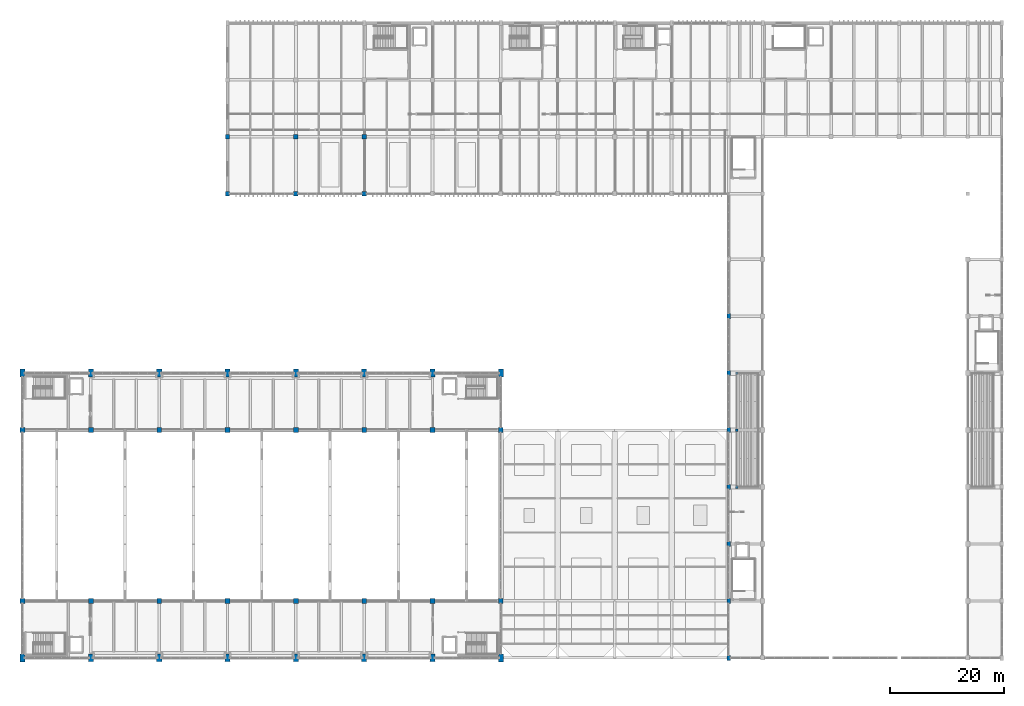
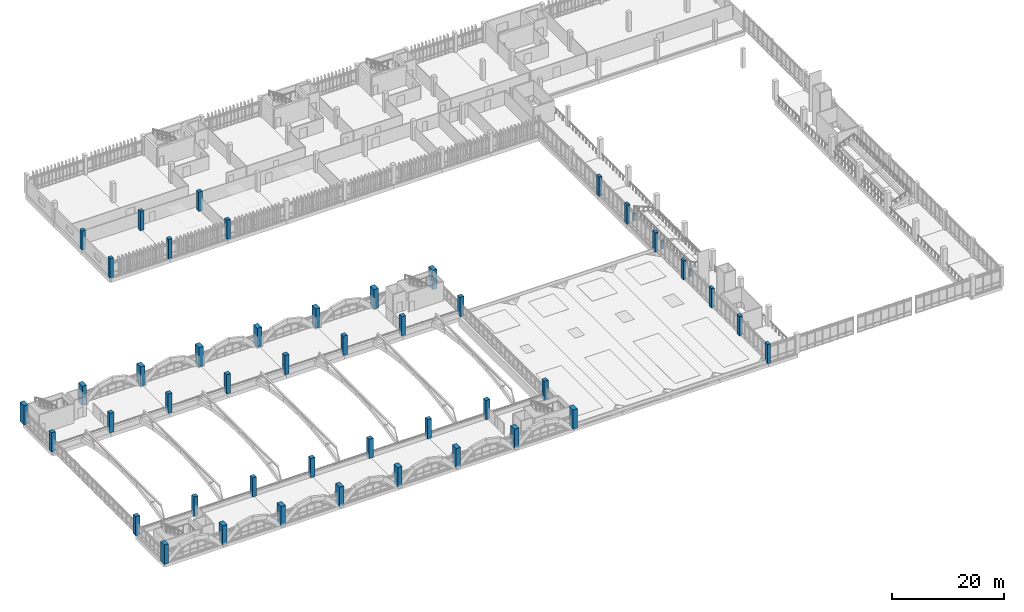
# One storey, part 1 of 161: 48 columns.
"""IFC4 building model written with IfcOpenShell, lengths in metres."""

from ifc_helpers import new_model, si_unit, direction, frame, origin, origin_2d, place, context, subcontext, project, spatial, rectangle, extrude, material, material_profile, profile_set, type_object, element, save


model = new_model("IFC4")

# Units and contexts
model_context = context("Model", 3, precision=1e-05, world=origin(), true_north=direction((0.0, 1.0)))
body_context = subcontext(model_context, "Body", "Model", "MODEL_VIEW")
ifc_project = project(units=[si_unit("LENGTHUNIT", "METRE"), si_unit("AREAUNIT", "SQUARE_METRE"), si_unit("VOLUMEUNIT", "CUBIC_METRE"), si_unit("PLANEANGLEUNIT", "RADIAN"), si_unit("MASSUNIT", "GRAM", prefix="KILO")], contexts=[model_context])

# Site, building, storey
site_placement = place(None, origin())
site = spatial("IfcSite", under=ifc_project, at=site_placement, CompositionType="ELEMENT")
building_placement = place(site_placement, origin())
building = spatial("IfcBuilding", under=site, at=building_placement, Name="Mersad Railyard Sports Hall", CompositionType="ELEMENT")
storey_placement = place(building_placement, frame((0.0, 0.0, 4.800048828125)))
storey = spatial("IfcBuildingStorey", under=building, at=storey_placement, Name="L01", CompositionType="ELEMENT", Elevation=4.800048828125)

# Columns
ifc_material_1 = material(Name="Concrete C50/60", Category="concrete")
ifc_material_profile_1 = material_profile(ifc_material_1, rectangle(XDim=0.85009765625, YDim=0.85009765625, at=origin_2d()), Name="RC 850x850")
ifc_profile_set_1 = profile_set([ifc_material_profile_1], Name="Concrete C50/60")
column_type_1 = type_object("IfcColumnType", Name="STR-COL-C02", PredefinedType="COLUMN", material=ifc_profile_set_1)
for number, where, z_axis, x_axis, name in (
    (1, (7.0, 13.5, 0.0), (0.0, 0.0, 1.0), (1.0, 0.0, 0.0), "Column C02 L01 (7.0,13.5)"),
    (2, (7.0, 43.5, 0.0), (0.0, 0.0, 1.0), (1.0, 0.0, 0.0), "Column C02 L01 (7.0,43.5)"),
    (3, (19.0, 13.5, 0.0), (0.0, 0.0, 1.0), (1.0, 0.0, 0.0), "Column C02 L01 (19.0,13.5)"),
    (4, (19.0, 43.5, 0.0), (0.0, 0.0, 1.0), (1.0, 0.0, 0.0), "Column C02 L01 (19.0,43.5)"),
    (5, (31.0, 13.5, 0.0), (0.0, 0.0, 1.0), (1.0, 0.0, 0.0), "Column C02 L01 (31.0,13.5)"),
    (6, (31.0, 43.5, 0.0), (0.0, 0.0, 1.0), (1.0, 0.0, 0.0), "Column C02 L01 (31.0,43.5)"),
    (7, (43.0, 13.5, 0.0), (0.0, 0.0, 1.0), (1.0, 0.0, 0.0), "Column C02 L01 (43.0,13.5)"),
    (8, (43.0, 43.5, 0.0), (0.0, 0.0, 1.0), (1.0, 0.0, 0.0), "Column C02 L01 (43.0,43.5)"),
    (9, (55.0, 13.5, 0.0), (0.0, 0.0, 1.0), (1.0, 0.0, 0.0), "Column C02 L01 (55.0,13.5)"),
    (10, (55.0, 43.5, 0.0), (0.0, 0.0, 1.0), (1.0, 0.0, 0.0), "Column C02 L01 (55.0,43.5)"),
    (11, (67.0, 13.5, 0.0), (0.0, 0.0, 1.0), (1.0, 0.0, 0.0), "Column C02 L01 (67.0,13.5)"),
    (12, (67.0, 43.5, 0.0), (0.0, 0.0, 1.0), (1.0, 0.0, 0.0), "Column C02 L01 (67.0,43.5)"),
    (13, (79.0, 13.5, 0.0), (0.0, 0.0, 1.0), (1.0, 0.0, 0.0), "Column C02 L01 (79.0,13.5)"),
    (14, (79.0, 43.5, 0.0), (0.0, 0.0, 1.0), (1.0, 0.0, 0.0), "Column C02 L01 (79.0,43.5)"),
    (15, (91.0, 13.5, 0.0), (0.0, 0.0, 1.0), (1.0, 0.0, 0.0), "Column C02 L01 (91.0,13.5)"),
    (16, (91.0, 43.5, 0.0), (0.0, 0.0, 1.0), (1.0, 0.0, 0.0), "Column C02 L01 (91.0,43.5)"),
):
    element("IfcColumn", number, at=place(storey_placement, frame(where, z_axis=z_axis, x_axis=x_axis)), inside=storey, type_object=column_type_1, Name=name, PredefinedType="COLUMN", context=body_context, shape_type="SweptSolid", body=[
        extrude(rectangle(XDim=0.85009765625, YDim=0.85009765625, at=origin_2d()), origin(), (0.0, 0.0, 1.0), 4.199951171875),
    ])
ifc_material_profile_2 = material_profile(ifc_material_1, rectangle(XDim=0.75, YDim=0.75, at=origin_2d()), Name="RC 750x750")
ifc_profile_set_2 = profile_set([ifc_material_profile_2], Name="Concrete C50/60")
column_type_2 = type_object("IfcColumnType", Name="STR-COL-C03", PredefinedType="COLUMN", material=ifc_profile_set_2)
for number, where, z_axis, x_axis, name in (
    (17, (43.0, 85.0, 0.0), (0.0, 0.0, 1.0), (1.0, 0.0, 0.0), "Column C03 L01 (43.0,85.0)"),
    (18, (43.0, 95.0, 0.0), (0.0, 0.0, 1.0), (1.0, 0.0, 0.0), "Column C03 L01 (43.0,95.0)"),
    (19, (55.0, 85.0, 0.0), (0.0, 0.0, 1.0), (1.0, 0.0, 0.0), "Column C03 L01 (55.0,85.0)"),
    (20, (55.0, 95.0, 0.0), (0.0, 0.0, 1.0), (1.0, 0.0, 0.0), "Column C03 L01 (55.0,95.0)"),
    (21, (67.0, 85.0, 0.0), (0.0, 0.0, 1.0), (1.0, 0.0, 0.0), "Column C03 L01 (67.0,85.0)"),
    (22, (67.0, 95.0, 0.0), (0.0, 0.0, 1.0), (1.0, 0.0, 0.0), "Column C03 L01 (67.0,95.0)"),
):
    element("IfcColumn", number, at=place(storey_placement, frame(where, z_axis=z_axis, x_axis=x_axis)), inside=storey, type_object=column_type_2, Name=name, PredefinedType="COLUMN", context=body_context, shape_type="SweptSolid", body=[
        extrude(rectangle(XDim=0.75, YDim=0.75, at=origin_2d()), origin(), (0.0, 0.0, 1.0), 4.199951171875),
    ])
ifc_material_2 = material(Name="Concrete C40/50", Category="concrete")
ifc_material_profile_3 = material_profile(ifc_material_2, rectangle(XDim=0.449951171875, YDim=0.449951171875, at=origin_2d()), Name="RC 450x450")
ifc_profile_set_3 = profile_set([ifc_material_profile_3], Name="Concrete C40/50")
column_type_3 = type_object("IfcColumnType", Name="STR-COL-C06", PredefinedType="COLUMN", material=ifc_profile_set_3)
for number, where, z_axis, x_axis, name in (
    (23, (132.39990234375, 33.5, 0.0), (0.0, 0.0, 1.0), (1.0, 0.0, 0.0), "Column C06 L01 (132.4,33.5)"),
    (24, (132.39990234375, 43.5, 0.0), (0.0, 0.0, 1.0), (1.0, 0.0, 0.0), "Column C06 L01 (132.4,43.5)"),
    (25, (132.39990234375, 53.5, 0.0), (0.0, 0.0, 1.0), (1.0, 0.0, 0.0), "Column C06 L01 (132.4,53.5)"),
):
    element("IfcColumn", number, at=place(storey_placement, frame(where, z_axis=z_axis, x_axis=x_axis)), inside=storey, type_object=column_type_3, Name=name, PredefinedType="COLUMN", context=body_context, shape_type="SweptSolid", body=[
        extrude(rectangle(XDim=0.449951171875, YDim=0.449951171875, at=origin_2d()), origin(), (0.0, 0.0, 1.0), 1.699951171875),
    ])
ifc_material_profile_4 = material_profile(ifc_material_1, rectangle(XDim=0.60009765625, YDim=0.89990234375, at=origin_2d()), Name="RC 600x900")
ifc_profile_set_4 = profile_set([ifc_material_profile_4], Name="Concrete C50/60")
column_type_4 = type_object("IfcColumnType", Name="STR-COL-C07", PredefinedType="COLUMN", material=ifc_profile_set_4)
for number, where, z_axis, x_axis, name in (
    (26, (131.0, 3.5, 0.0), (0.0, 0.0, 1.0), (1.0, 0.0, 0.0), "Column C07 L01 (131.0,3.5)"),
    (27, (131.0, 13.5, 0.0), (0.0, 0.0, 1.0), (1.0, 0.0, 0.0), "Column C07 L01 (131.0,13.5)"),
    (28, (131.0, 23.5, 0.0), (0.0, 0.0, 1.0), (1.0, 0.0, 0.0), "Column C07 L01 (131.0,23.5)"),
    (29, (131.0, 33.5, 0.0), (0.0, 0.0, 1.0), (1.0, 0.0, 0.0), "Column C07 L01 (131.0,33.5)"),
    (30, (131.0, 43.5, 0.0), (0.0, 0.0, 1.0), (1.0, 0.0, 0.0), "Column C07 L01 (131.0,43.5)"),
    (31, (131.0, 53.5, 0.0), (0.0, 0.0, 1.0), (1.0, 0.0, 0.0), "Column C07 L01 (131.0,53.5)"),
    (32, (131.0, 63.5, 0.0), (0.0, 0.0, 1.0), (1.0, 0.0, 0.0), "Column C07 L01 (131.0,63.5)"),
):
    element("IfcColumn", number, at=place(storey_placement, frame(where, z_axis=z_axis, x_axis=x_axis)), inside=storey, type_object=column_type_4, Name=name, PredefinedType="COLUMN", context=body_context, shape_type="SweptSolid", body=[
        extrude(rectangle(XDim=0.60009765625, YDim=0.89990234375, at=origin_2d()), origin(), (0.0, 0.0, 1.0), 4.199951171875),
    ])
ifc_material_3 = material(Name="Architectural concrete C50/60", Category="concrete")
ifc_material_profile_5 = material_profile(ifc_material_3, rectangle(XDim=0.89990234375, YDim=1.39990234375, at=origin_2d()), Name="RC 900x1400")
ifc_profile_set_5 = profile_set([ifc_material_profile_5], Name="Architectural concrete C50/60")
column_type_5 = type_object("IfcColumnType", Name="STR-PIL-P01", PredefinedType="PILASTER", material=ifc_profile_set_5)
for number, where, z_axis, x_axis, name in (
    (33, (7.0, 3.5, 0.0), (0.0, 0.0, 1.0), (1.0, 0.0, 0.0), "Column AP01 L01 (7.0,3.5)"),
    (34, (7.0, 53.5, 0.0), (0.0, 0.0, 1.0), (1.0, 0.0, 0.0), "Column AP01 L01 (7.0,53.5)"),
    (35, (19.0, 3.5, 0.0), (0.0, 0.0, 1.0), (1.0, 0.0, 0.0), "Column AP01 L01 (19.0,3.5)"),
    (36, (19.0, 53.5, 0.0), (0.0, 0.0, 1.0), (1.0, 0.0, 0.0), "Column AP01 L01 (19.0,53.5)"),
    (37, (31.0, 3.5, 0.0), (0.0, 0.0, 1.0), (1.0, 0.0, 0.0), "Column AP01 L01 (31.0,3.5)"),
    (38, (31.0, 53.5, 0.0), (0.0, 0.0, 1.0), (1.0, 0.0, 0.0), "Column AP01 L01 (31.0,53.5)"),
    (39, (43.0, 3.5, 0.0), (0.0, 0.0, 1.0), (1.0, 0.0, 0.0), "Column AP01 L01 (43.0,3.5)"),
    (40, (43.0, 53.5, 0.0), (0.0, 0.0, 1.0), (1.0, 0.0, 0.0), "Column AP01 L01 (43.0,53.5)"),
    (41, (55.0, 3.5, 0.0), (0.0, 0.0, 1.0), (1.0, 0.0, 0.0), "Column AP01 L01 (55.0,3.5)"),
    (42, (55.0, 53.5, 0.0), (0.0, 0.0, 1.0), (1.0, 0.0, 0.0), "Column AP01 L01 (55.0,53.5)"),
    (43, (67.0, 3.5, 0.0), (0.0, 0.0, 1.0), (1.0, 0.0, 0.0), "Column AP01 L01 (67.0,3.5)"),
    (44, (67.0, 53.5, 0.0), (0.0, 0.0, 1.0), (1.0, 0.0, 0.0), "Column AP01 L01 (67.0,53.5)"),
    (45, (79.0, 3.5, 0.0), (0.0, 0.0, 1.0), (1.0, 0.0, 0.0), "Column AP01 L01 (79.0,3.5)"),
    (46, (79.0, 53.5, 0.0), (0.0, 0.0, 1.0), (1.0, 0.0, 0.0), "Column AP01 L01 (79.0,53.5)"),
    (47, (91.0, 3.5, 0.0), (0.0, 0.0, 1.0), (1.0, 0.0, 0.0), "Column AP01 L01 (91.0,3.5)"),
    (48, (91.0, 53.5, 0.0), (0.0, 0.0, 1.0), (1.0, 0.0, 0.0), "Column AP01 L01 (91.0,53.5)"),
):
    element("IfcColumn", number, at=place(storey_placement, frame(where, z_axis=z_axis, x_axis=x_axis)), inside=storey, type_object=column_type_5, Name=name, PredefinedType="PILASTER", context=body_context, shape_type="SweptSolid", body=[
        extrude(rectangle(XDim=0.89990234375, YDim=1.39990234375, at=origin_2d()), origin(), (0.0, 0.0, 1.0), 4.199951171875),
    ])

save(model, "model.ifc")
